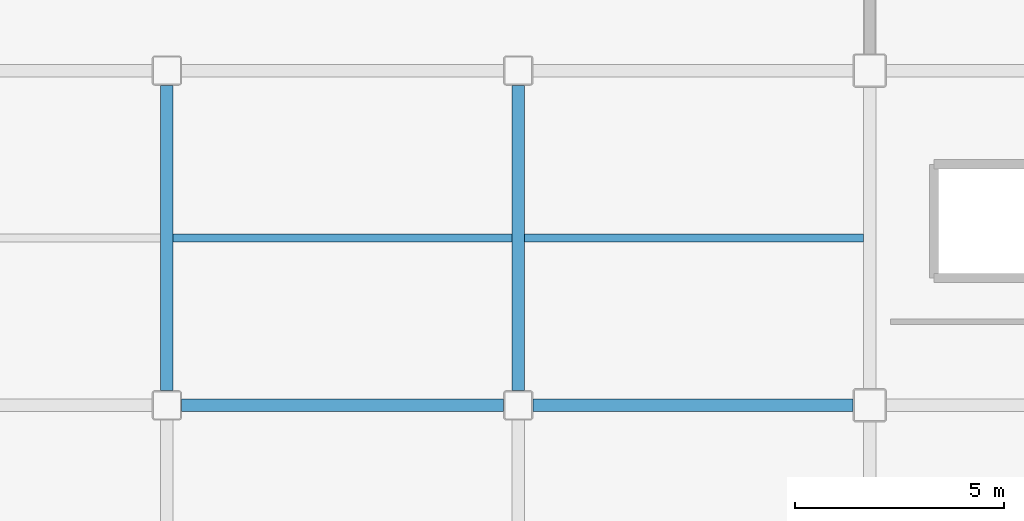
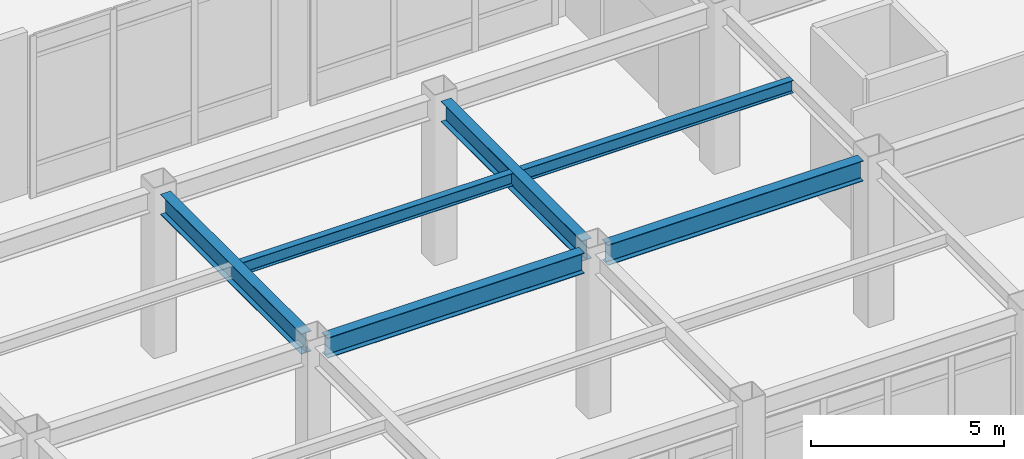
# One storey, part 86 of 165: 6 beams.
"""IFC4 building model written with IfcOpenShell, lengths in metres."""

from ifc_helpers import new_model, si_unit, direction, frame, origin, origin_2d, place, context, subcontext, project, spatial, i_section, extrude, material, material_profile, profile_set, type_object, element, save


model = new_model("IFC4")

# Units and contexts
model_context = context("Model", 3, precision=1e-05, world=origin(), true_north=direction((0.0, 1.0)))
body_context = subcontext(model_context, "Body", "Model", "MODEL_VIEW")
ifc_project = project(units=[si_unit("LENGTHUNIT", "METRE"), si_unit("AREAUNIT", "SQUARE_METRE"), si_unit("VOLUMEUNIT", "CUBIC_METRE"), si_unit("PLANEANGLEUNIT", "RADIAN"), si_unit("MASSUNIT", "GRAM", prefix="KILO")], contexts=[model_context])

# Site, building, storey
site_placement = place(None, origin())
site = spatial("IfcSite", under=ifc_project, at=site_placement, CompositionType="ELEMENT")
building_placement = place(site_placement, origin())
building = spatial("IfcBuilding", under=site, at=building_placement, Name="Kazehara Bluff Congress Hotel", CompositionType="ELEMENT")
storey_placement = place(building_placement, origin())
storey = spatial("IfcBuildingStorey", under=building, at=storey_placement, Name="L00", CompositionType="ELEMENT", Elevation=0.0)

# Beams
ifc_material_1 = material(Name="Steel SN490B", Category="steel")
ifc_material_profile_1 = material_profile(ifc_material_1, i_section(OverallWidth=0.300048828125, OverallDepth=0.64990234375, WebThickness=0.011962890625, FlangeThickness=0.02001953125, FilletRadius=0.012939453125, at=origin_2d()))
ifc_profile_set_1 = profile_set([ifc_material_profile_1], Name="Steel SN490B")
beam_type_1 = type_object("IfcBeamType", Name="TP-G-03", PredefinedType="BEAM", material=ifc_profile_set_1)
for number, where, z_axis, x_axis, name in (
    (1, (126.89990234375, 24.35009765625, 4.824951171875), (0.0, 1.0, 0.0), (-1.0, 0.0, 0.0), "L00 girder G-03 226"),
    (2, (135.300048828125, 24.35009765625, 4.824951171875), (0.0, 1.0, 0.0), (-1.0, 0.0, 0.0), "L00 girder G-03 228"),
):
    element("IfcBeam", number, at=place(storey_placement, frame(where, z_axis=z_axis, x_axis=x_axis)), inside=storey, type_object=beam_type_1, Name=name, PredefinedType="BEAM", context=body_context, shape_type="SweptSolid", body=[
        extrude(i_section(OverallWidth=0.300048828125, OverallDepth=0.64990234375, WebThickness=0.011962890625, FlangeThickness=0.02001953125, FilletRadius=0.012939453125, at=origin_2d()), origin(), (0.0, 0.0, 1.0), 7.2998046875),
    ])
beam_1_placement = place(storey_placement, frame((127.25, 24.0, 4.824951171875), z_axis=(1.0, 0.0, 0.0), x_axis=(0.0, 1.0, 0.0)))
element("IfcBeam", 3, at=beam_1_placement, inside=storey, type_object=beam_type_1, Name="L00 girder G-03 286", PredefinedType="BEAM", context=body_context, shape_type="SweptSolid", body=[
    extrude(i_section(OverallWidth=0.300048828125, OverallDepth=0.64990234375, WebThickness=0.011962890625, FlangeThickness=0.02001953125, FilletRadius=0.012939453125, at=origin_2d()), origin(), (0.0, 0.0, 1.0), 7.699951171875),
])
beam_2_placement = place(storey_placement, frame((135.64990234375, 24.0, 4.824951171875), z_axis=(1.0, 0.0, 0.0), x_axis=(0.0, 1.0, 0.0)))
element("IfcBeam", 4, at=beam_2_placement, inside=storey, type_object=beam_type_1, Name="L00 girder G-03 287", PredefinedType="BEAM", context=body_context, shape_type="SweptSolid", body=[
    extrude(i_section(OverallWidth=0.300048828125, OverallDepth=0.64990234375, WebThickness=0.011962890625, FlangeThickness=0.02001953125, FilletRadius=0.012939453125, at=origin_2d()), origin(), (0.0, 0.0, 1.0), 7.650146484375),
])
ifc_material_2 = material(Name="Steel SN400B", Category="steel")
ifc_material_profile_2 = material_profile(ifc_material_2, i_section(OverallWidth=0.199951171875, OverallDepth=0.39990234375, WebThickness=0.008056640625, FlangeThickness=0.012939453125, FilletRadius=0.012939453125, at=origin_2d()))
ifc_profile_set_2 = profile_set([ifc_material_profile_2], Name="Steel SN400B")
beam_type_2 = type_object("IfcBeamType", Name="TP-J-03", PredefinedType="JOIST", material=ifc_profile_set_2)
beam_3_placement = place(storey_placement, frame((127.050048828125, 28.0, 4.949951171875), z_axis=(1.0, 0.0, 0.0), x_axis=(0.0, 1.0, 0.0)))
element("IfcBeam", 5, at=beam_3_placement, inside=storey, type_object=beam_type_2, Name="L00 secondary joist J-03 58", PredefinedType="JOIST", context=body_context, shape_type="SweptSolid", body=[
    extrude(i_section(OverallWidth=0.199951171875, OverallDepth=0.39990234375, WebThickness=0.008056640625, FlangeThickness=0.012939453125, FilletRadius=0.012939453125, at=origin_2d()), origin(), (0.0, 0.0, 1.0), 8.099853515625),
])
beam_4_placement = place(storey_placement, frame((135.449951171875, 28.0, 4.949951171875), z_axis=(1.0, 0.0, 0.0), x_axis=(0.0, 1.0, 0.0)))
element("IfcBeam", 6, at=beam_4_placement, inside=storey, type_object=beam_type_2, Name="L00 secondary joist J-03 60", PredefinedType="JOIST", context=body_context, shape_type="SweptSolid", body=[
    extrude(i_section(OverallWidth=0.199951171875, OverallDepth=0.39990234375, WebThickness=0.008056640625, FlangeThickness=0.012939453125, FilletRadius=0.012939453125, at=origin_2d()), origin(), (0.0, 0.0, 1.0), 8.10009765625),
])

save(model, "model.ifc")
